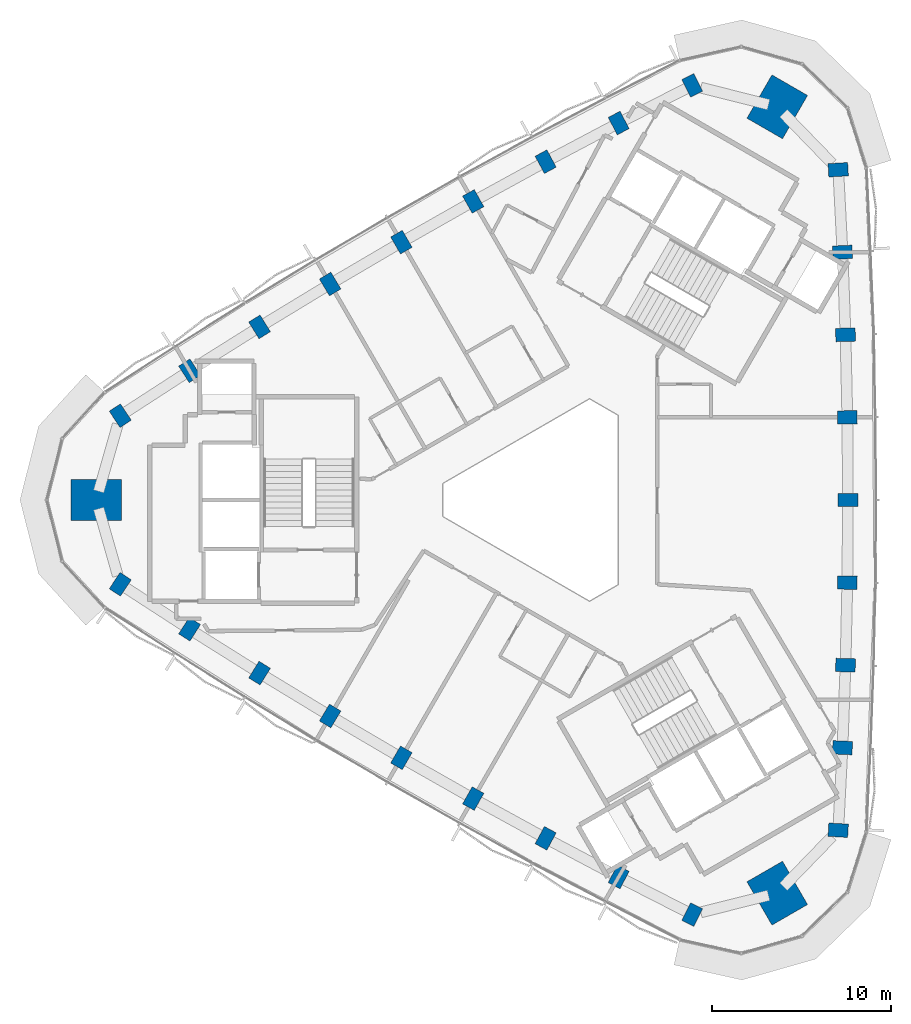
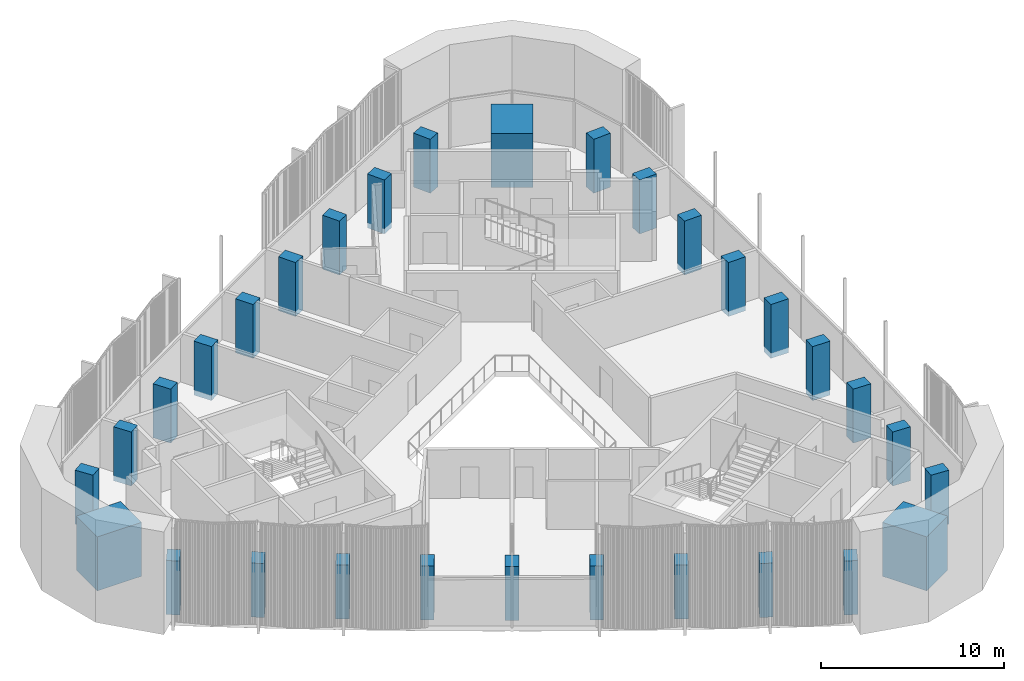
# One storey, part 1 of 14: 30 columns.
"""IFC4 building model written with IfcOpenShell, lengths in metres."""

from ifc_helpers import new_model, si_unit, direction, frame, origin, origin_2d, place, context, subcontext, project, spatial, rectangle, extrude, material, material_profile, profile_set, type_object, element, save


model = new_model("IFC4")

# Units and contexts
model_context = context("Model", 3, precision=1e-05, world=origin(), true_north=direction((0.0, 1.0)))
body_context = subcontext(model_context, "Body", "Model", "MODEL_VIEW")
ifc_project = project(units=[si_unit("LENGTHUNIT", "METRE"), si_unit("AREAUNIT", "SQUARE_METRE"), si_unit("VOLUMEUNIT", "CUBIC_METRE"), si_unit("PLANEANGLEUNIT", "RADIAN"), si_unit("MASSUNIT", "GRAM", prefix="KILO")], contexts=[model_context])

# Site, building, storey
site_placement = place(None, origin())
site = spatial("IfcSite", under=ifc_project, at=site_placement, CompositionType="ELEMENT")
building_placement = place(site_placement, origin())
building = spatial("IfcBuilding", under=site, at=building_placement, Name="Tamra Quay Hotel Tower", CompositionType="ELEMENT")
storey_placement = place(building_placement, frame((0.0, 0.0, 221.39990234375)))
storey = spatial("IfcBuildingStorey", under=building, at=storey_placement, Name="L55", CompositionType="ELEMENT", Elevation=221.39990234375)

# Columns
ifc_material = material(Name="Concrete M70", Category="concrete")
ifc_material_profile_1 = material_profile(ifc_material, rectangle(XDim=1.10009765625, YDim=0.75, at=origin_2d()), Name="COLUMN RC 750x1100 Z5")
ifc_profile_set_1 = profile_set([ifc_material_profile_1], Name="Concrete M70")
column_type_1 = type_object("IfcColumnType", Name="COLUMN RC 750x1100 Z5", PredefinedType="COLUMN", material=ifc_profile_set_1)
for number, where, z_axis, x_axis, name in (
    (1, (16.12548828125, -18.490966796875, -0.349853515625), (0.0, 0.0, 1.0), (-0.998292120165, 0.05841954139, 0.0), "COL-C5E01-L55"),
    (2, (16.36328125, -13.87158203125, -0.349853515625), (0.0, 0.0, 1.0), (-0.999033395056, 0.043957656467, 0.0), "COL-C5E02-L55"),
    (3, (16.533203125, -9.24951171875, -0.349853515625), (0.0, 0.0, 1.0), (-0.999578606696, 0.029027728727, 0.0), "COL-C5E03-L55"),
    (4, (16.63525390625, -4.625, -0.349853515625), (0.0, 0.0, 1.0), (-0.999888113, 0.014958659101, 0.0), "COL-C5E04-L55"),
    (5, (16.66943359375, 0.0, -0.349853515625), (0.0, 0.0, 1.0), (1.0, 0.0, 0.0), "COL-C5E05-L55"),
    (6, (16.63525390625, 4.625, -0.349853515625), (0.0, 0.0, 1.0), (0.999888113, 0.014958659101, 0.0), "COL-C5E06-L55"),
    (7, (16.533203125, 9.24951171875, -0.349853515625), (0.0, 0.0, 1.0), (0.999578606696, 0.029027728727, 0.0), "COL-C5E07-L55"),
    (8, (16.36328125, 13.87158203125, -0.349853515625), (0.0, 0.0, 1.0), (0.999033395056, 0.043957656467, 0.0), "COL-C5E08-L55"),
    (9, (16.12548828125, 18.490966796875, -0.349853515625), (0.0, 0.0, 1.0), (0.998292120165, 0.05841954139, 0.0), "COL-C5E09-L55"),
    (10, (7.950927734375, 23.210693359375, -0.349853515625), (0.0, 0.0, 1.0), (-0.448553253162, 0.893756107156, 0.0), "COL-C5NW01-L55"),
    (11, (3.83154296875, 21.10693359375, -0.349853515625), (0.0, 0.0, 1.0), (-0.461448250337, 0.887167127581, 0.0), "COL-C5NW02-L55"),
    (12, (-0.25634765625, 18.943115234375, -0.349853515625), (0.0, 0.0, 1.0), (-0.474650552857, 0.880174330842, 0.0), "COL-C5NW03-L55"),
    (13, (-4.312255859375, 16.718994140625, -0.349853515625), (0.0, 0.0, 1.0), (-0.486989477712, 0.87340783635, 0.0), "COL-C5NW04-L55"),
    (14, (-8.334716796875, 14.43603515625, -0.349853515625), (0.0, 0.0, 1.0), (-0.5, 0.866025403784, 0.0), "COL-C5NW05-L55"),
    (15, (-12.322998046875, 12.093994140625, -0.349853515625), (0.0, 0.0, 1.0), (-0.512898635288, 0.858449177249, 0.0), "COL-C5NW06-L55"),
    (16, (-16.277099609375, 9.693359375, -0.349853515625), (0.0, 0.0, 1.0), (-0.52492805384, 0.851146602115, 0.0), "COL-C5NW07-L55"),
    (17, (-20.19482421875, 7.235107421875, -0.349853515625), (0.0, 0.0, 1.0), (-0.537585144719, 0.843209471114, 0.0), "COL-C5NW08-L55"),
    (18, (-24.076416015625, 4.7197265625, -0.349853515625), (0.0, 0.0, 1.0), (-0.549738867003, 0.835336565766, 0.0), "COL-C5NW09-L55"),
    (19, (-24.076416015625, -4.7197265625, -0.349853515625), (0.0, 0.0, 1.0), (0.549738867003, 0.835336565766, 0.0), "COL-C5SW01-L55"),
    (20, (-20.19482421875, -7.235107421875, -0.349853515625), (0.0, 0.0, 1.0), (0.537585144719, 0.843209471114, 0.0), "COL-C5SW02-L55"),
    (21, (-16.277099609375, -9.693359375, -0.349853515625), (0.0, 0.0, 1.0), (0.52492805384, 0.851146602115, 0.0), "COL-C5SW03-L55"),
    (22, (-12.322998046875, -12.093994140625, -0.349853515625), (0.0, 0.0, 1.0), (0.512898635288, 0.858449177249, 0.0), "COL-C5SW04-L55"),
    (23, (-8.334716796875, -14.43603515625, -0.349853515625), (0.0, 0.0, 1.0), (0.5, 0.866025403784, 0.0), "COL-C5SW05-L55"),
    (24, (-4.312255859375, -16.718994140625, -0.349853515625), (0.0, 0.0, 1.0), (0.486989477712, 0.87340783635, 0.0), "COL-C5SW06-L55"),
    (25, (-0.25634765625, -18.943115234375, -0.349853515625), (0.0, 0.0, 1.0), (0.474650552857, 0.880174330842, 0.0), "COL-C5SW07-L55"),
    (26, (3.83154296875, -21.10693359375, -0.349853515625), (0.0, 0.0, 1.0), (0.461448250337, 0.887167127581, 0.0), "COL-C5SW08-L55"),
    (27, (7.950927734375, -23.210693359375, -0.349853515625), (0.0, 0.0, 1.0), (0.448553253162, 0.893756107156, 0.0), "COL-C5SW09-L55"),
):
    element("IfcColumn", number, at=place(storey_placement, frame(where, z_axis=z_axis, x_axis=x_axis)), inside=storey, type_object=column_type_1, Name=name, PredefinedType="COLUMN", context=body_context, shape_type="SweptSolid", body=[
        extrude(rectangle(XDim=1.10009765625, YDim=0.75, at=origin_2d()), origin(), (0.0, 0.0, 1.0), 3.599853515625),
    ])
ifc_material_profile_2 = material_profile(ifc_material, rectangle(XDim=2.800048828125, YDim=2.300048828125, at=origin_2d()), Name="MEGA COLUMN RC 2300x2800 Z5")
ifc_profile_set_2 = profile_set([ifc_material_profile_2], Name="Concrete M70")
column_type_2 = type_object("IfcColumnType", Name="MEGA COLUMN RC 2300x2800 Z5", PredefinedType="COLUMN", material=ifc_profile_set_2)
for number, where, z_axis, x_axis, name in (
    (28, (12.710205078125, 22.0146484375, -0.349853515625), (0.0, 0.0, 1.0), (0.5, 0.866025403784, 0.0), "COL-M5NE-L55"),
    (29, (-25.42041015625, 0.0, -0.349853515625), (0.0, 0.0, 1.0), (1.0, 0.0, 0.0), "COL-M5W-L55"),
    (30, (12.710205078125, -22.0146484375, -0.349853515625), (0.0, 0.0, 1.0), (-0.5, 0.866025403784, 0.0), "COL-M5SE-L55"),
):
    element("IfcColumn", number, at=place(storey_placement, frame(where, z_axis=z_axis, x_axis=x_axis)), inside=storey, type_object=column_type_2, Name=name, PredefinedType="COLUMN", context=body_context, shape_type="SweptSolid", body=[
        extrude(rectangle(XDim=2.800048828125, YDim=2.300048828125, at=origin_2d()), origin(), (0.0, 0.0, 1.0), 3.599853515625),
    ])

save(model, "model.ifc")
